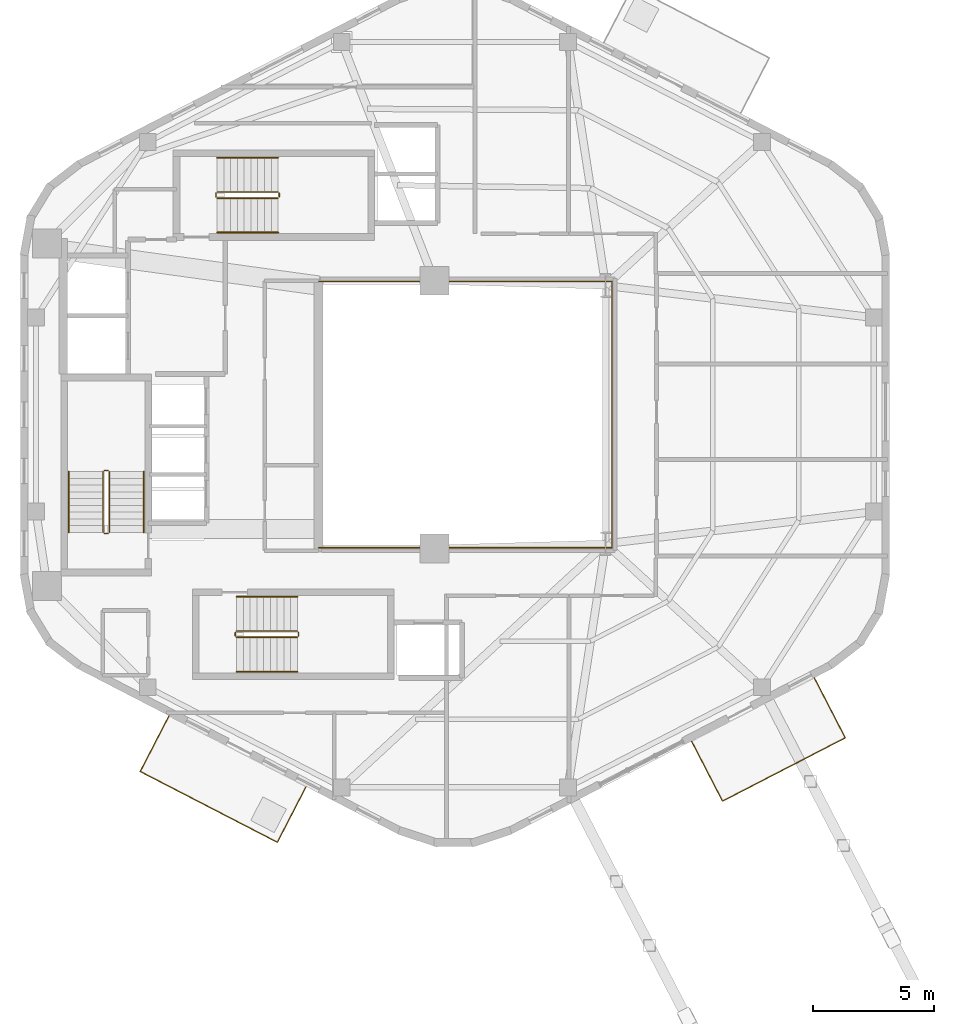
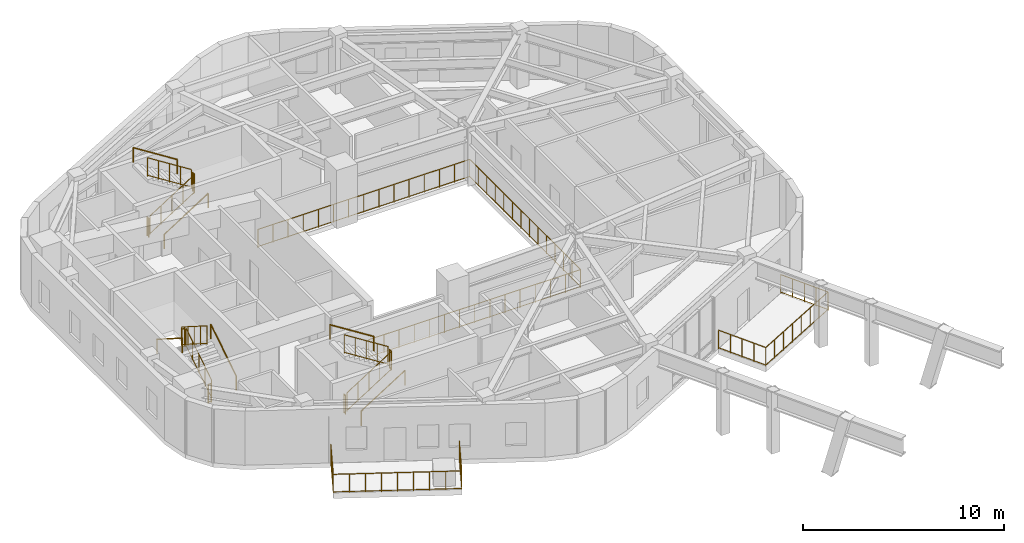
# One storey, part 9 of 10: 21 railings.
"""IFC4 building model written with IfcOpenShell, lengths in metres."""

from ifc_helpers import new_model, si_unit, direction, frame, origin, origin_2d, place, context, subcontext, project, spatial, circle, extrude, material, type_object, element, save


model = new_model("IFC4")

# Units and contexts
model_context = context("Model", 3, precision=1e-05, world=origin(), true_north=direction((0.0, 1.0)))
body_context = subcontext(model_context, "Body", "Model", "MODEL_VIEW")
ifc_project = project(units=[si_unit("LENGTHUNIT", "METRE"), si_unit("AREAUNIT", "SQUARE_METRE"), si_unit("VOLUMEUNIT", "CUBIC_METRE"), si_unit("PLANEANGLEUNIT", "RADIAN"), si_unit("MASSUNIT", "GRAM", prefix="KILO"), si_unit("THERMODYNAMICTEMPERATUREUNIT", "KELVIN"), si_unit("POWERUNIT", "WATT")], contexts=[model_context])

# Site, building, storey
site_placement = place(None, origin())
site = spatial("IfcSite", under=ifc_project, at=site_placement, CompositionType="ELEMENT")
building_placement = place(site_placement, origin())
building = spatial("IfcBuilding", under=site, at=building_placement, Name="Skarre Station Tower", CompositionType="ELEMENT")
storey_placement = place(building_placement, frame((0.0, 0.0, 227.699951171875)))
storey = spatial("IfcBuildingStorey", under=building, at=storey_placement, Name="L62", CompositionType="ELEMENT", Elevation=227.699951171875)

# Railings
ifc_material_1 = material(Name="Bronze Anodized Steel & Laminated Glass Balustrade", Category="steel")
railing_type_1 = type_object("IfcRailingType", Name="Atrium Void & Mezzanine Guard Balustrade 1120", PredefinedType="GUARDRAIL", material=ifc_material_1)
railing_1_placement = place(storey_placement, frame((27.550048828125, 18.47998046875, 0.0)))
element("IfcRailing", 1, at=railing_1_placement, inside=storey, type_object=railing_type_1, Name="L62 Atrium Void Guard Balustrade", PredefinedType="GUARDRAIL", context=body_context, shape_type="SweptSolid", body=[
    extrude(circle(Radius=0.02392578125, at=origin_2d()), frame((0.0, 0.0, 1.09619140625), z_axis=(1.0, 0.0, 0.0), x_axis=(0.0, 1.0, 0.0)), (0.0, 0.0, 1.0), 12.169921875),
    extrude(circle(Radius=0.02099609375, at=origin_2d()), frame((0.0, 0.0, 0.06005859375), z_axis=(1.0, 0.0, 0.0), x_axis=(0.0, 1.0, 0.0)), (0.0, 0.0, 1.0), 12.169921875),
    extrude(circle(Radius=0.02392578125, at=origin_2d()), frame((12.169921875, 0.0, 1.09619140625), z_axis=(0.0, 1.0, 0.0), x_axis=(-1.0, 0.0, 0.0)), (0.0, 0.0, 1.0), 11.0400390625),
    extrude(circle(Radius=0.02099609375, at=origin_2d()), frame((12.169921875, 0.0, 0.06005859375), z_axis=(0.0, 1.0, 0.0), x_axis=(-1.0, 0.0, 0.0)), (0.0, 0.0, 1.0), 11.0400390625),
    extrude(circle(Radius=0.02392578125, at=origin_2d()), frame((12.169921875, 11.0400390625, 1.09619140625), z_axis=(-1.0, 0.0, 0.0), x_axis=(0.0, -1.0, 0.0)), (0.0, 0.0, 1.0), 12.169921875),
    extrude(circle(Radius=0.02099609375, at=origin_2d()), frame((12.169921875, 11.0400390625, 0.06005859375), z_axis=(-1.0, 0.0, 0.0), x_axis=(0.0, -1.0, 0.0)), (0.0, 0.0, 1.0), 12.169921875),
    extrude(circle(Radius=0.02099609375, at=origin_2d()), origin(), (0.0, 0.0, 1.0), 1.072021484375),
    extrude(circle(Radius=0.02099609375, at=origin_2d()), frame((0.869384765625, 0.0, 0.0)), (0.0, 0.0, 1.0), 1.072021484375),
    extrude(circle(Radius=0.02099609375, at=origin_2d()), frame((1.738525390625, 0.0, 0.0)), (0.0, 0.0, 1.0), 1.072021484375),
    extrude(circle(Radius=0.02099609375, at=origin_2d()), frame((2.60791015625, 0.0, 0.0)), (0.0, 0.0, 1.0), 1.072021484375),
    extrude(circle(Radius=0.02099609375, at=origin_2d()), frame((3.47705078125, 0.0, 0.0)), (0.0, 0.0, 1.0), 1.072021484375),
    extrude(circle(Radius=0.02099609375, at=origin_2d()), frame((4.346435546875, 0.0, 0.0)), (0.0, 0.0, 1.0), 1.072021484375),
    extrude(circle(Radius=0.02099609375, at=origin_2d()), frame((5.215576171875, 0.0, 0.0)), (0.0, 0.0, 1.0), 1.072021484375),
    extrude(circle(Radius=0.02099609375, at=origin_2d()), frame((6.0849609375, 0.0, 0.0)), (0.0, 0.0, 1.0), 1.072021484375),
    extrude(circle(Radius=0.02099609375, at=origin_2d()), frame((6.954345703125, 0.0, 0.0)), (0.0, 0.0, 1.0), 1.072021484375),
    extrude(circle(Radius=0.02099609375, at=origin_2d()), frame((7.823486328125, 0.0, 0.0)), (0.0, 0.0, 1.0), 1.072021484375),
    extrude(circle(Radius=0.02099609375, at=origin_2d()), frame((8.69287109375, 0.0, 0.0)), (0.0, 0.0, 1.0), 1.072021484375),
    extrude(circle(Radius=0.02099609375, at=origin_2d()), frame((9.56201171875, 0.0, 0.0)), (0.0, 0.0, 1.0), 1.072021484375),
    extrude(circle(Radius=0.02099609375, at=origin_2d()), frame((10.431396484375, 0.0, 0.0)), (0.0, 0.0, 1.0), 1.072021484375),
    extrude(circle(Radius=0.02099609375, at=origin_2d()), frame((11.300537109375, 0.0, 0.0)), (0.0, 0.0, 1.0), 1.072021484375),
    extrude(circle(Radius=0.02099609375, at=origin_2d()), frame((12.169921875, 0.0, 0.0)), (0.0, 0.0, 1.0), 1.072021484375),
    extrude(circle(Radius=0.02099609375, at=origin_2d()), frame((12.169921875, 0.84912109375, 0.0)), (0.0, 0.0, 1.0), 1.072021484375),
    extrude(circle(Radius=0.02099609375, at=origin_2d()), frame((12.169921875, 1.698486328125, 0.0)), (0.0, 0.0, 1.0), 1.072021484375),
    extrude(circle(Radius=0.02099609375, at=origin_2d()), frame((12.169921875, 2.547607421875, 0.0)), (0.0, 0.0, 1.0), 1.072021484375),
    extrude(circle(Radius=0.02099609375, at=origin_2d()), frame((12.169921875, 3.39697265625, 0.0)), (0.0, 0.0, 1.0), 1.072021484375),
    extrude(circle(Radius=0.02099609375, at=origin_2d()), frame((12.169921875, 4.24609375, 0.0)), (0.0, 0.0, 1.0), 1.072021484375),
    extrude(circle(Radius=0.02099609375, at=origin_2d()), frame((12.169921875, 5.095458984375, 0.0)), (0.0, 0.0, 1.0), 1.072021484375),
    extrude(circle(Radius=0.02099609375, at=origin_2d()), frame((12.169921875, 5.944580078125, 0.0)), (0.0, 0.0, 1.0), 1.072021484375),
    extrude(circle(Radius=0.02099609375, at=origin_2d()), frame((12.169921875, 6.7939453125, 0.0)), (0.0, 0.0, 1.0), 1.072021484375),
    extrude(circle(Radius=0.02099609375, at=origin_2d()), frame((12.169921875, 7.64306640625, 0.0)), (0.0, 0.0, 1.0), 1.072021484375),
    extrude(circle(Radius=0.02099609375, at=origin_2d()), frame((12.169921875, 8.492431640625, 0.0)), (0.0, 0.0, 1.0), 1.072021484375),
    extrude(circle(Radius=0.02099609375, at=origin_2d()), frame((12.169921875, 9.341552734375, 0.0)), (0.0, 0.0, 1.0), 1.072021484375),
    extrude(circle(Radius=0.02099609375, at=origin_2d()), frame((12.169921875, 10.19091796875, 0.0)), (0.0, 0.0, 1.0), 1.072021484375),
    extrude(circle(Radius=0.02099609375, at=origin_2d()), frame((12.169921875, 11.0400390625, 0.0)), (0.0, 0.0, 1.0), 1.072021484375),
    extrude(circle(Radius=0.02099609375, at=origin_2d()), frame((11.300537109375, 11.0400390625, 0.0)), (0.0, 0.0, 1.0), 1.072021484375),
    extrude(circle(Radius=0.02099609375, at=origin_2d()), frame((10.431396484375, 11.0400390625, 0.0)), (0.0, 0.0, 1.0), 1.072021484375),
    extrude(circle(Radius=0.02099609375, at=origin_2d()), frame((9.56201171875, 11.0400390625, 0.0)), (0.0, 0.0, 1.0), 1.072021484375),
    extrude(circle(Radius=0.02099609375, at=origin_2d()), frame((8.69287109375, 11.0400390625, 0.0)), (0.0, 0.0, 1.0), 1.072021484375),
    extrude(circle(Radius=0.02099609375, at=origin_2d()), frame((7.823486328125, 11.0400390625, 0.0)), (0.0, 0.0, 1.0), 1.072021484375),
    extrude(circle(Radius=0.02099609375, at=origin_2d()), frame((6.954345703125, 11.0400390625, 0.0)), (0.0, 0.0, 1.0), 1.072021484375),
    extrude(circle(Radius=0.02099609375, at=origin_2d()), frame((6.0849609375, 11.0400390625, 0.0)), (0.0, 0.0, 1.0), 1.072021484375),
    extrude(circle(Radius=0.02099609375, at=origin_2d()), frame((5.215576171875, 11.0400390625, 0.0)), (0.0, 0.0, 1.0), 1.072021484375),
    extrude(circle(Radius=0.02099609375, at=origin_2d()), frame((4.346435546875, 11.0400390625, 0.0)), (0.0, 0.0, 1.0), 1.072021484375),
    extrude(circle(Radius=0.02099609375, at=origin_2d()), frame((3.47705078125, 11.0400390625, 0.0)), (0.0, 0.0, 1.0), 1.072021484375),
    extrude(circle(Radius=0.02099609375, at=origin_2d()), frame((2.60791015625, 11.0400390625, 0.0)), (0.0, 0.0, 1.0), 1.072021484375),
    extrude(circle(Radius=0.02099609375, at=origin_2d()), frame((1.738525390625, 11.0400390625, 0.0)), (0.0, 0.0, 1.0), 1.072021484375),
    extrude(circle(Radius=0.02099609375, at=origin_2d()), frame((0.869384765625, 11.0400390625, 0.0)), (0.0, 0.0, 1.0), 1.072021484375),
    extrude(circle(Radius=0.02099609375, at=origin_2d()), frame((0.0, 11.0400390625, 0.0)), (0.0, 0.0, 1.0), 1.072021484375),
])
ifc_material_2 = material(Name="Stainless Steel Grade 316L & Laminated Safety Glass", Category="steel")
railing_type_2 = type_object("IfcRailingType", Name="Laminated Glass & Stainless Terrace Guardrail 1150", PredefinedType="BALUSTRADE", material=ifc_material_2)
railing_2_placement = place(storey_placement, frame((48.10595703125, 13.083984375, 0.0)))
element("IfcRailing", 2, at=railing_2_placement, inside=storey, type_object=railing_type_2, Name="L62 SG-3 Conservatory Terrace Guardrail", PredefinedType="BALUSTRADE", context=body_context, shape_type="SweptSolid", body=[
    extrude(circle(Radius=0.02392578125, at=origin_2d()), frame((0.0, 0.0, 1.1259765625), z_axis=(0.458796714428, -0.888541262312, 0.0), x_axis=(0.888541262312, 0.458796714428, 0.0)), (0.0, 0.0, 1.0), 2.7900390625),
    extrude(circle(Radius=0.02099609375, at=origin_2d()), frame((0.0, 0.0, 0.06005859375), z_axis=(0.458796714428, -0.888541262312, 0.0), x_axis=(0.888541262312, 0.458796714428, 0.0)), (0.0, 0.0, 1.0), 2.7900390625),
    extrude(circle(Radius=0.02392578125, at=origin_2d()), frame((1.280029296875, -2.47900390625, 1.1259765625), z_axis=(-0.888600487867, -0.458681995464, 0.0), x_axis=(0.458681995464, -0.888600487867, 0.0)), (0.0, 0.0, 1.0), 5.729248046875),
    extrude(circle(Radius=0.02099609375, at=origin_2d()), frame((1.280029296875, -2.47900390625, 0.06005859375), z_axis=(-0.888600487867, -0.458681995464, 0.0), x_axis=(0.458681995464, -0.888600487867, 0.0)), (0.0, 0.0, 1.0), 5.729248046875),
    extrude(circle(Radius=0.02392578125, at=origin_2d()), frame((-3.81103515625, -5.10693359375, 1.1259765625), z_axis=(-0.458796714428, 0.888541262312, 0.0), x_axis=(-0.888541262312, -0.458796714428, 0.0)), (0.0, 0.0, 1.0), 2.7900390625),
    extrude(circle(Radius=0.02099609375, at=origin_2d()), frame((-3.81103515625, -5.10693359375, 0.06005859375), z_axis=(-0.458796714428, 0.888541262312, 0.0), x_axis=(-0.888541262312, -0.458796714428, 0.0)), (0.0, 0.0, 1.0), 2.7900390625),
    extrude(circle(Radius=0.02099609375, at=origin_2d()), origin(), (0.0, 0.0, 1.0), 1.101806640625),
    extrude(circle(Radius=0.02099609375, at=origin_2d()), frame((0.320068359375, -0.61962890625, 0.0)), (0.0, 0.0, 1.0), 1.101806640625),
    extrude(circle(Radius=0.02099609375, at=origin_2d()), frame((0.64013671875, -1.239501953125, 0.0)), (0.0, 0.0, 1.0), 1.101806640625),
    extrude(circle(Radius=0.02099609375, at=origin_2d()), frame((0.9599609375, -1.859375, 0.0)), (0.0, 0.0, 1.0), 1.101806640625),
    extrude(circle(Radius=0.02099609375, at=origin_2d()), frame((1.280029296875, -2.47900390625, 0.0)), (0.0, 0.0, 1.0), 1.101806640625),
    extrude(circle(Radius=0.02099609375, at=origin_2d()), frame((0.552734375, -2.8544921875, 0.0)), (0.0, 0.0, 1.0), 1.101806640625),
    extrude(circle(Radius=0.02099609375, at=origin_2d()), frame((-0.174560546875, -3.229736328125, 0.0)), (0.0, 0.0, 1.0), 1.101806640625),
    extrude(circle(Radius=0.02099609375, at=origin_2d()), frame((-0.90185546875, -3.605224609375, 0.0)), (0.0, 0.0, 1.0), 1.101806640625),
    extrude(circle(Radius=0.02099609375, at=origin_2d()), frame((-1.629150390625, -3.980712890625, 0.0)), (0.0, 0.0, 1.0), 1.101806640625),
    extrude(circle(Radius=0.02099609375, at=origin_2d()), frame((-2.3564453125, -4.356201171875, 0.0)), (0.0, 0.0, 1.0), 1.101806640625),
    extrude(circle(Radius=0.02099609375, at=origin_2d()), frame((-3.083740234375, -4.7314453125, 0.0)), (0.0, 0.0, 1.0), 1.101806640625),
    extrude(circle(Radius=0.02099609375, at=origin_2d()), frame((-3.81103515625, -5.10693359375, 0.0)), (0.0, 0.0, 1.0), 1.101806640625),
    extrude(circle(Radius=0.02099609375, at=origin_2d()), frame((-4.131103515625, -4.4873046875, 0.0)), (0.0, 0.0, 1.0), 1.101806640625),
    extrude(circle(Radius=0.02099609375, at=origin_2d()), frame((-4.451171875, -3.867431640625, 0.0)), (0.0, 0.0, 1.0), 1.101806640625),
    extrude(circle(Radius=0.02099609375, at=origin_2d()), frame((-4.77099609375, -3.24755859375, 0.0)), (0.0, 0.0, 1.0), 1.101806640625),
    extrude(circle(Radius=0.02099609375, at=origin_2d()), frame((-5.091064453125, -2.6279296875, 0.0)), (0.0, 0.0, 1.0), 1.101806640625),
])
railing_3_placement = place(storey_placement, frame((21.344970703125, 11.509033203125, 0.0)))
element("IfcRailing", 3, at=railing_3_placement, inside=storey, type_object=railing_type_2, Name="L62 TB-L62-F3 Tree-Balcony Guardrail", PredefinedType="BALUSTRADE", context=body_context, shape_type="SweptSolid", body=[
    extrude(circle(Radius=0.02392578125, at=origin_2d()), frame((0.0, 0.0, 1.1259765625), z_axis=(-0.458753384133, -0.888563634495, 0.0), x_axis=(0.888563634495, -0.458753384133, 0.0)), (0.0, 0.0, 1.0), 2.589599609375),
    extrude(circle(Radius=0.02099609375, at=origin_2d()), frame((0.0, 0.0, 0.06005859375), z_axis=(-0.458753384133, -0.888563634495, 0.0), x_axis=(0.888563634495, -0.458753384133, 0.0)), (0.0, 0.0, 1.0), 2.589599609375),
    extrude(circle(Radius=0.02392578125, at=origin_2d()), frame((-1.18798828125, -2.301025390625, 1.1259765625), z_axis=(0.888569497845, -0.458742027178, 0.0), x_axis=(0.458742027178, 0.888569497845, 0.0)), (0.0, 0.0, 1.0), 6.400146484375),
    extrude(circle(Radius=0.02099609375, at=origin_2d()), frame((-1.18798828125, -2.301025390625, 0.06005859375), z_axis=(0.888569497845, -0.458742027178, 0.0), x_axis=(0.458742027178, 0.888569497845, 0.0)), (0.0, 0.0, 1.0), 6.400146484375),
    extrude(circle(Radius=0.02392578125, at=origin_2d()), frame((4.4990234375, -5.237060546875, 1.1259765625), z_axis=(0.458753384133, 0.888563634495, 0.0), x_axis=(-0.888563634495, 0.458753384133, 0.0)), (0.0, 0.0, 1.0), 2.589599609375),
    extrude(circle(Radius=0.02099609375, at=origin_2d()), frame((4.4990234375, -5.237060546875, 0.06005859375), z_axis=(0.458753384133, 0.888563634495, 0.0), x_axis=(-0.888563634495, 0.458753384133, 0.0)), (0.0, 0.0, 1.0), 2.589599609375),
    extrude(circle(Radius=0.02099609375, at=origin_2d()), origin(), (0.0, 0.0, 1.0), 1.101806640625),
    extrude(circle(Radius=0.02099609375, at=origin_2d()), frame((-0.39599609375, -0.76708984375, 0.0)), (0.0, 0.0, 1.0), 1.101806640625),
    extrude(circle(Radius=0.02099609375, at=origin_2d()), frame((-0.7919921875, -1.533935546875, 0.0)), (0.0, 0.0, 1.0), 1.101806640625),
    extrude(circle(Radius=0.02099609375, at=origin_2d()), frame((-1.18798828125, -2.301025390625, 0.0)), (0.0, 0.0, 1.0), 1.101806640625),
    extrude(circle(Radius=0.02099609375, at=origin_2d()), frame((-0.47705078125, -2.66796875, 0.0)), (0.0, 0.0, 1.0), 1.101806640625),
    extrude(circle(Radius=0.02099609375, at=origin_2d()), frame((0.23388671875, -3.03515625, 0.0)), (0.0, 0.0, 1.0), 1.101806640625),
    extrude(circle(Radius=0.02099609375, at=origin_2d()), frame((0.944580078125, -3.402099609375, 0.0)), (0.0, 0.0, 1.0), 1.101806640625),
    extrude(circle(Radius=0.02099609375, at=origin_2d()), frame((1.655517578125, -3.76904296875, 0.0)), (0.0, 0.0, 1.0), 1.101806640625),
    extrude(circle(Radius=0.02099609375, at=origin_2d()), frame((2.366455078125, -4.135986328125, 0.0)), (0.0, 0.0, 1.0), 1.101806640625),
    extrude(circle(Radius=0.02099609375, at=origin_2d()), frame((3.0771484375, -4.5029296875, 0.0)), (0.0, 0.0, 1.0), 1.101806640625),
    extrude(circle(Radius=0.02099609375, at=origin_2d()), frame((3.7880859375, -4.8701171875, 0.0)), (0.0, 0.0, 1.0), 1.101806640625),
    extrude(circle(Radius=0.02099609375, at=origin_2d()), frame((4.4990234375, -5.237060546875, 0.0)), (0.0, 0.0, 1.0), 1.101806640625),
    extrude(circle(Radius=0.02099609375, at=origin_2d()), frame((4.89501953125, -4.469970703125, 0.0)), (0.0, 0.0, 1.0), 1.101806640625),
    extrude(circle(Radius=0.02099609375, at=origin_2d()), frame((5.291015625, -3.703125, 0.0)), (0.0, 0.0, 1.0), 1.101806640625),
    extrude(circle(Radius=0.02099609375, at=origin_2d()), frame((5.68701171875, -2.93603515625, 0.0)), (0.0, 0.0, 1.0), 1.101806640625),
])
ifc_material_3 = material(Name="Powder-Coated Tubular Steel", Category="steel")
railing_type_3 = type_object("IfcRailingType", Name="Painted Steel Ramp & Stair Handrail 920", PredefinedType="HANDRAIL", material=ifc_material_3)
railing_4_placement = place(storey_placement, frame((20.300048828125, 19.1201171875, 0.177490234375)))
element("IfcRailing", 4, at=railing_4_placement, inside=storey, type_object=railing_type_3, Name="L62 ST-1 stair handrail 1", PredefinedType="HANDRAIL", context=body_context, shape_type="SweptSolid", body=[
    extrude(circle(Radius=0.02392578125, at=origin_2d()), frame((0.0, 0.0, 0.8759765625), z_axis=(0.0, 0.844546487299, 0.535482241341), x_axis=(-1.0, 0.0, 0.0)), (0.0, 0.0, 1.0), 2.983642578125),
    extrude(circle(Radius=0.02099609375, at=origin_2d()), origin(), (0.0, 0.0, 1.0), 0.851806640625),
    extrude(circle(Radius=0.02099609375, at=origin_2d()), frame((0.0, 2.519775390625, 1.59765625)), (0.0, 0.0, 1.0), 0.851806640625),
])
railing_5_placement = place(storey_placement, frame((17.199951171875, 21.639892578125, 1.95263671875)))
element("IfcRailing", 5, at=railing_5_placement, inside=storey, type_object=railing_type_3, Name="L62 ST-1 stair handrail 2", PredefinedType="HANDRAIL", context=body_context, shape_type="SweptSolid", body=[
    extrude(circle(Radius=0.02392578125, at=origin_2d()), frame((0.0, 0.0, 0.8759765625), z_axis=(0.0, -0.844583492756, 0.535423872987), x_axis=(1.0, 0.0, 0.0)), (0.0, 0.0, 1.0), 2.9833984375),
    extrude(circle(Radius=0.02099609375, at=origin_2d()), origin(), (0.0, 0.0, 1.0), 0.851806640625),
    extrude(circle(Radius=0.02099609375, at=origin_2d()), frame((0.0, -2.519775390625, 1.597412109375)), (0.0, 0.0, 1.0), 0.851806640625),
])
railing_6_placement = place(storey_placement, frame((24.14990234375, 13.35009765625, 0.177490234375)))
element("IfcRailing", 6, at=railing_6_placement, inside=storey, type_object=railing_type_3, Name="L62 ST-2 stair handrail 1", PredefinedType="HANDRAIL", context=body_context, shape_type="SweptSolid", body=[
    extrude(circle(Radius=0.02392578125, at=origin_2d()), frame((0.0, 0.0, 0.8759765625), z_axis=(0.84456994832, 0.0, 0.535445237532), x_axis=(0.0, 1.0, 0.0)), (0.0, 0.0, 1.0), 2.98388671875),
    extrude(circle(Radius=0.02099609375, at=origin_2d()), origin(), (0.0, 0.0, 1.0), 0.851806640625),
    extrude(circle(Radius=0.02099609375, at=origin_2d()), frame((2.52001953125, 0.0, 1.59765625)), (0.0, 0.0, 1.0), 0.851806640625),
])
railing_7_placement = place(storey_placement, frame((26.669921875, 16.449951171875, 1.95263671875)))
element("IfcRailing", 7, at=railing_7_placement, inside=storey, type_object=railing_type_3, Name="L62 ST-2 stair handrail 2", PredefinedType="HANDRAIL", context=body_context, shape_type="SweptSolid", body=[
    extrude(circle(Radius=0.02392578125, at=origin_2d()), frame((0.0, 0.0, 0.8759765625), z_axis=(-0.84460694969, 0.0, 0.535386869969), x_axis=(0.0, -1.0, 0.0)), (0.0, 0.0, 1.0), 2.983642578125),
    extrude(circle(Radius=0.02099609375, at=origin_2d()), origin(), (0.0, 0.0, 1.0), 0.851806640625),
    extrude(circle(Radius=0.02099609375, at=origin_2d()), frame((-2.52001953125, 0.0, 1.597412109375)), (0.0, 0.0, 1.0), 0.851806640625),
])
railing_8_placement = place(storey_placement, frame((23.35009765625, 31.550048828125, 0.177490234375)))
element("IfcRailing", 8, at=railing_8_placement, inside=storey, type_object=railing_type_3, Name="L62 ST-3 stair handrail 1", PredefinedType="HANDRAIL", context=body_context, shape_type="SweptSolid", body=[
    extrude(circle(Radius=0.02392578125, at=origin_2d()), frame((0.0, 0.0, 0.8759765625), z_axis=(0.84456994832, 0.0, 0.535445237532), x_axis=(0.0, 1.0, 0.0)), (0.0, 0.0, 1.0), 2.98388671875),
    extrude(circle(Radius=0.02099609375, at=origin_2d()), origin(), (0.0, 0.0, 1.0), 0.851806640625),
    extrude(circle(Radius=0.02099609375, at=origin_2d()), frame((2.52001953125, 0.0, 1.59765625)), (0.0, 0.0, 1.0), 0.851806640625),
])
railing_9_placement = place(storey_placement, frame((25.8701171875, 34.64990234375, 1.95263671875)))
element("IfcRailing", 9, at=railing_9_placement, inside=storey, type_object=railing_type_3, Name="L62 ST-3 stair handrail 2", PredefinedType="HANDRAIL", context=body_context, shape_type="SweptSolid", body=[
    extrude(circle(Radius=0.02392578125, at=origin_2d()), frame((0.0, 0.0, 0.8759765625), z_axis=(-0.84460694969, 0.0, 0.535386869969), x_axis=(0.0, -1.0, 0.0)), (0.0, 0.0, 1.0), 2.983642578125),
    extrude(circle(Radius=0.02099609375, at=origin_2d()), origin(), (0.0, 0.0, 1.0), 0.851806640625),
    extrude(circle(Radius=0.02099609375, at=origin_2d()), frame((-2.52001953125, 0.0, 1.597412109375)), (0.0, 0.0, 1.0), 0.851806640625),
])
railing_type_4 = type_object("IfcRailingType", Name="Painted Steel Stairwell Guardrail 1100", PredefinedType="GUARDRAIL", material=ifc_material_3)
railing_10_placement = place(storey_placement, frame((18.8798828125, 19.1201171875, 0.177490234375)))
element("IfcRailing", 10, at=railing_10_placement, inside=storey, type_object=railing_type_4, Name="L62 ST-1 stair guard 1", PredefinedType="GUARDRAIL", context=body_context, shape_type="SweptSolid", body=[
    extrude(circle(Radius=0.02392578125, at=origin_2d()), frame((0.0, 0.0, 1.1259765625), z_axis=(0.0, 0.844546487299, 0.535482241341), x_axis=(-1.0, 0.0, 0.0)), (0.0, 0.0, 1.0), 2.983642578125),
    extrude(circle(Radius=0.02099609375, at=origin_2d()), frame((0.0, 0.0, 0.06005859375), z_axis=(0.0, 0.844546487299, 0.535482241341), x_axis=(-1.0, 0.0, 0.0)), (0.0, 0.0, 1.0), 2.983642578125),
    extrude(circle(Radius=0.02099609375, at=origin_2d()), origin(), (0.0, 0.0, 1.0), 1.101806640625),
    extrude(circle(Radius=0.02099609375, at=origin_2d()), frame((0.0, 0.6298828125, 0.3994140625)), (0.0, 0.0, 1.0), 1.101806640625),
    extrude(circle(Radius=0.02099609375, at=origin_2d()), frame((0.0, 1.259765625, 0.798828125)), (0.0, 0.0, 1.0), 1.101806640625),
    extrude(circle(Radius=0.02099609375, at=origin_2d()), frame((0.0, 1.889892578125, 1.1982421875)), (0.0, 0.0, 1.0), 1.101806640625),
    extrude(circle(Radius=0.02099609375, at=origin_2d()), frame((0.0, 2.519775390625, 1.59765625)), (0.0, 0.0, 1.0), 1.101806640625),
])
railing_11_placement = place(storey_placement, frame((18.830078125, 21.68994140625, 1.775146484375)))
element("IfcRailing", 11, at=railing_11_placement, inside=storey, type_object=railing_type_4, Name="L62 ST-1 stair guard 2", PredefinedType="GUARDRAIL", context=body_context, shape_type="SweptSolid", body=[
    extrude(circle(Radius=0.02392578125, at=origin_2d()), frame((0.0, 0.0, 1.1259765625), z_axis=(-1.0, 0.0, 0.0), x_axis=(0.0, -1.0, 0.0)), (0.0, 0.0, 1.0), 0.16015625),
    extrude(circle(Radius=0.02099609375, at=origin_2d()), frame((0.0, 0.0, 0.06005859375), z_axis=(-1.0, 0.0, 0.0), x_axis=(0.0, -1.0, 0.0)), (0.0, 0.0, 1.0), 0.16015625),
    extrude(circle(Radius=0.02099609375, at=origin_2d()), origin(), (0.0, 0.0, 1.0), 1.101806640625),
    extrude(circle(Radius=0.02099609375, at=origin_2d()), frame((-0.16015625, 0.0, 0.0)), (0.0, 0.0, 1.0), 1.101806640625),
])
railing_12_placement = place(storey_placement, frame((18.6201171875, 21.639892578125, 1.95263671875)))
element("IfcRailing", 12, at=railing_12_placement, inside=storey, type_object=railing_type_4, Name="L62 ST-1 stair guard 3", PredefinedType="GUARDRAIL", context=body_context, shape_type="SweptSolid", body=[
    extrude(circle(Radius=0.02392578125, at=origin_2d()), frame((0.0, 0.0, 1.1259765625), z_axis=(0.0, -0.844583492756, 0.535423872987), x_axis=(1.0, 0.0, 0.0)), (0.0, 0.0, 1.0), 2.9833984375),
    extrude(circle(Radius=0.02099609375, at=origin_2d()), frame((0.0, 0.0, 0.06005859375), z_axis=(0.0, -0.844583492756, 0.535423872987), x_axis=(1.0, 0.0, 0.0)), (0.0, 0.0, 1.0), 2.9833984375),
    extrude(circle(Radius=0.02099609375, at=origin_2d()), origin(), (0.0, 0.0, 1.0), 1.101806640625),
    extrude(circle(Radius=0.02099609375, at=origin_2d()), frame((0.0, -0.6298828125, 0.3994140625)), (0.0, 0.0, 1.0), 1.101806640625),
    extrude(circle(Radius=0.02099609375, at=origin_2d()), frame((0.0, -1.259765625, 0.798828125)), (0.0, 0.0, 1.0), 1.101806640625),
    extrude(circle(Radius=0.02099609375, at=origin_2d()), frame((0.0, -1.889892578125, 1.197998046875)), (0.0, 0.0, 1.0), 1.101806640625),
    extrude(circle(Radius=0.02099609375, at=origin_2d()), frame((0.0, -2.519775390625, 1.597412109375)), (0.0, 0.0, 1.0), 1.101806640625),
])
railing_13_placement = place(storey_placement, frame((18.830078125, 19.070068359375, 0.0)))
element("IfcRailing", 13, at=railing_13_placement, inside=storey, type_object=railing_type_4, Name="L62 ST-1 stair guard 4", PredefinedType="GUARDRAIL", context=body_context, shape_type="SweptSolid", body=[
    extrude(circle(Radius=0.02392578125, at=origin_2d()), frame((0.0, 0.0, 1.1259765625), z_axis=(-1.0, 0.0, 0.0), x_axis=(0.0, -1.0, 0.0)), (0.0, 0.0, 1.0), 0.16015625),
    extrude(circle(Radius=0.02099609375, at=origin_2d()), frame((0.0, 0.0, 0.06005859375), z_axis=(-1.0, 0.0, 0.0), x_axis=(0.0, -1.0, 0.0)), (0.0, 0.0, 1.0), 0.16015625),
    extrude(circle(Radius=0.02099609375, at=origin_2d()), origin(), (0.0, 0.0, 1.0), 1.101806640625),
    extrude(circle(Radius=0.02099609375, at=origin_2d()), frame((-0.16015625, 0.0, 0.0)), (0.0, 0.0, 1.0), 1.101806640625),
])
railing_14_placement = place(storey_placement, frame((24.14990234375, 14.77001953125, 0.177490234375)))
element("IfcRailing", 14, at=railing_14_placement, inside=storey, type_object=railing_type_4, Name="L62 ST-2 stair guard 1", PredefinedType="GUARDRAIL", context=body_context, shape_type="SweptSolid", body=[
    extrude(circle(Radius=0.02392578125, at=origin_2d()), frame((0.0, 0.0, 1.1259765625), z_axis=(0.84456994832, 0.0, 0.535445237532), x_axis=(0.0, 1.0, 0.0)), (0.0, 0.0, 1.0), 2.98388671875),
    extrude(circle(Radius=0.02099609375, at=origin_2d()), frame((0.0, 0.0, 0.06005859375), z_axis=(0.84456994832, 0.0, 0.535445237532), x_axis=(0.0, 1.0, 0.0)), (0.0, 0.0, 1.0), 2.98388671875),
    extrude(circle(Radius=0.02099609375, at=origin_2d()), origin(), (0.0, 0.0, 1.0), 1.101806640625),
    extrude(circle(Radius=0.02099609375, at=origin_2d()), frame((0.6298828125, 0.0, 0.3994140625)), (0.0, 0.0, 1.0), 1.101806640625),
    extrude(circle(Radius=0.02099609375, at=origin_2d()), frame((1.260009765625, 0.0, 0.798828125)), (0.0, 0.0, 1.0), 1.101806640625),
    extrude(circle(Radius=0.02099609375, at=origin_2d()), frame((1.89013671875, 0.0, 1.1982421875)), (0.0, 0.0, 1.0), 1.101806640625),
    extrude(circle(Radius=0.02099609375, at=origin_2d()), frame((2.52001953125, 0.0, 1.59765625)), (0.0, 0.0, 1.0), 1.101806640625),
])
railing_15_placement = place(storey_placement, frame((26.719970703125, 14.820068359375, 1.775146484375)))
element("IfcRailing", 15, at=railing_15_placement, inside=storey, type_object=railing_type_4, Name="L62 ST-2 stair guard 2", PredefinedType="GUARDRAIL", context=body_context, shape_type="SweptSolid", body=[
    extrude(circle(Radius=0.02392578125, at=origin_2d()), frame((0.0, 0.0, 1.1259765625), z_axis=(0.0, 1.0, 0.0), x_axis=(-1.0, 0.0, 0.0)), (0.0, 0.0, 1.0), 0.159912109375),
    extrude(circle(Radius=0.02099609375, at=origin_2d()), frame((0.0, 0.0, 0.06005859375), z_axis=(0.0, 1.0, 0.0), x_axis=(-1.0, 0.0, 0.0)), (0.0, 0.0, 1.0), 0.159912109375),
    extrude(circle(Radius=0.02099609375, at=origin_2d()), origin(), (0.0, 0.0, 1.0), 1.101806640625),
    extrude(circle(Radius=0.02099609375, at=origin_2d()), frame((0.0, 0.159912109375, 0.0)), (0.0, 0.0, 1.0), 1.101806640625),
])
railing_16_placement = place(storey_placement, frame((26.669921875, 15.030029296875, 1.95263671875)))
element("IfcRailing", 16, at=railing_16_placement, inside=storey, type_object=railing_type_4, Name="L62 ST-2 stair guard 3", PredefinedType="GUARDRAIL", context=body_context, shape_type="SweptSolid", body=[
    extrude(circle(Radius=0.02392578125, at=origin_2d()), frame((0.0, 0.0, 1.1259765625), z_axis=(-0.84460694969, 0.0, 0.535386869969), x_axis=(0.0, -1.0, 0.0)), (0.0, 0.0, 1.0), 2.983642578125),
    extrude(circle(Radius=0.02099609375, at=origin_2d()), frame((0.0, 0.0, 0.06005859375), z_axis=(-0.84460694969, 0.0, 0.535386869969), x_axis=(0.0, -1.0, 0.0)), (0.0, 0.0, 1.0), 2.983642578125),
    extrude(circle(Radius=0.02099609375, at=origin_2d()), origin(), (0.0, 0.0, 1.0), 1.101806640625),
    extrude(circle(Radius=0.02099609375, at=origin_2d()), frame((-0.6298828125, 0.0, 0.3994140625)), (0.0, 0.0, 1.0), 1.101806640625),
    extrude(circle(Radius=0.02099609375, at=origin_2d()), frame((-1.260009765625, 0.0, 0.798828125)), (0.0, 0.0, 1.0), 1.101806640625),
    extrude(circle(Radius=0.02099609375, at=origin_2d()), frame((-1.89013671875, 0.0, 1.197998046875)), (0.0, 0.0, 1.0), 1.101806640625),
    extrude(circle(Radius=0.02099609375, at=origin_2d()), frame((-2.52001953125, 0.0, 1.597412109375)), (0.0, 0.0, 1.0), 1.101806640625),
])
railing_17_placement = place(storey_placement, frame((24.10009765625, 14.820068359375, 0.0)))
element("IfcRailing", 17, at=railing_17_placement, inside=storey, type_object=railing_type_4, Name="L62 ST-2 stair guard 4", PredefinedType="GUARDRAIL", context=body_context, shape_type="SweptSolid", body=[
    extrude(circle(Radius=0.02392578125, at=origin_2d()), frame((0.0, 0.0, 1.1259765625), z_axis=(0.0, 1.0, 0.0), x_axis=(-1.0, 0.0, 0.0)), (0.0, 0.0, 1.0), 0.159912109375),
    extrude(circle(Radius=0.02099609375, at=origin_2d()), frame((0.0, 0.0, 0.06005859375), z_axis=(0.0, 1.0, 0.0), x_axis=(-1.0, 0.0, 0.0)), (0.0, 0.0, 1.0), 0.159912109375),
    extrude(circle(Radius=0.02099609375, at=origin_2d()), origin(), (0.0, 0.0, 1.0), 1.101806640625),
    extrude(circle(Radius=0.02099609375, at=origin_2d()), frame((0.0, 0.159912109375, 0.0)), (0.0, 0.0, 1.0), 1.101806640625),
])
railing_18_placement = place(storey_placement, frame((23.35009765625, 32.969970703125, 0.177490234375)))
element("IfcRailing", 18, at=railing_18_placement, inside=storey, type_object=railing_type_4, Name="L62 ST-3 stair guard 1", PredefinedType="GUARDRAIL", context=body_context, shape_type="SweptSolid", body=[
    extrude(circle(Radius=0.02392578125, at=origin_2d()), frame((0.0, 0.0, 1.1259765625), z_axis=(0.84456994832, 0.0, 0.535445237532), x_axis=(0.0, 1.0, 0.0)), (0.0, 0.0, 1.0), 2.98388671875),
    extrude(circle(Radius=0.02099609375, at=origin_2d()), frame((0.0, 0.0, 0.06005859375), z_axis=(0.84456994832, 0.0, 0.535445237532), x_axis=(0.0, 1.0, 0.0)), (0.0, 0.0, 1.0), 2.98388671875),
    extrude(circle(Radius=0.02099609375, at=origin_2d()), origin(), (0.0, 0.0, 1.0), 1.101806640625),
    extrude(circle(Radius=0.02099609375, at=origin_2d()), frame((0.6298828125, 0.0, 0.3994140625)), (0.0, 0.0, 1.0), 1.101806640625),
    extrude(circle(Radius=0.02099609375, at=origin_2d()), frame((1.260009765625, 0.0, 0.798828125)), (0.0, 0.0, 1.0), 1.101806640625),
    extrude(circle(Radius=0.02099609375, at=origin_2d()), frame((1.89013671875, 0.0, 1.1982421875)), (0.0, 0.0, 1.0), 1.101806640625),
    extrude(circle(Radius=0.02099609375, at=origin_2d()), frame((2.52001953125, 0.0, 1.59765625)), (0.0, 0.0, 1.0), 1.101806640625),
])
railing_19_placement = place(storey_placement, frame((25.919921875, 33.02001953125, 1.775146484375)))
element("IfcRailing", 19, at=railing_19_placement, inside=storey, type_object=railing_type_4, Name="L62 ST-3 stair guard 2", PredefinedType="GUARDRAIL", context=body_context, shape_type="SweptSolid", body=[
    extrude(circle(Radius=0.02392578125, at=origin_2d()), frame((0.0, 0.0, 1.1259765625), z_axis=(0.0, 1.0, 0.0), x_axis=(-1.0, 0.0, 0.0)), (0.0, 0.0, 1.0), 0.159912109375),
    extrude(circle(Radius=0.02099609375, at=origin_2d()), frame((0.0, 0.0, 0.06005859375), z_axis=(0.0, 1.0, 0.0), x_axis=(-1.0, 0.0, 0.0)), (0.0, 0.0, 1.0), 0.159912109375),
    extrude(circle(Radius=0.02099609375, at=origin_2d()), origin(), (0.0, 0.0, 1.0), 1.101806640625),
    extrude(circle(Radius=0.02099609375, at=origin_2d()), frame((0.0, 0.159912109375, 0.0)), (0.0, 0.0, 1.0), 1.101806640625),
])
railing_20_placement = place(storey_placement, frame((25.8701171875, 33.22998046875, 1.95263671875)))
element("IfcRailing", 20, at=railing_20_placement, inside=storey, type_object=railing_type_4, Name="L62 ST-3 stair guard 3", PredefinedType="GUARDRAIL", context=body_context, shape_type="SweptSolid", body=[
    extrude(circle(Radius=0.02392578125, at=origin_2d()), frame((0.0, 0.0, 1.1259765625), z_axis=(-0.84460694969, 0.0, 0.535386869969), x_axis=(0.0, -1.0, 0.0)), (0.0, 0.0, 1.0), 2.983642578125),
    extrude(circle(Radius=0.02099609375, at=origin_2d()), frame((0.0, 0.0, 0.06005859375), z_axis=(-0.84460694969, 0.0, 0.535386869969), x_axis=(0.0, -1.0, 0.0)), (0.0, 0.0, 1.0), 2.983642578125),
    extrude(circle(Radius=0.02099609375, at=origin_2d()), origin(), (0.0, 0.0, 1.0), 1.101806640625),
    extrude(circle(Radius=0.02099609375, at=origin_2d()), frame((-0.6298828125, 0.0, 0.3994140625)), (0.0, 0.0, 1.0), 1.101806640625),
    extrude(circle(Radius=0.02099609375, at=origin_2d()), frame((-1.260009765625, 0.0, 0.798828125)), (0.0, 0.0, 1.0), 1.101806640625),
    extrude(circle(Radius=0.02099609375, at=origin_2d()), frame((-1.89013671875, 0.0, 1.197998046875)), (0.0, 0.0, 1.0), 1.101806640625),
    extrude(circle(Radius=0.02099609375, at=origin_2d()), frame((-2.52001953125, 0.0, 1.597412109375)), (0.0, 0.0, 1.0), 1.101806640625),
])
railing_21_placement = place(storey_placement, frame((23.300048828125, 33.02001953125, 0.0)))
element("IfcRailing", 21, at=railing_21_placement, inside=storey, type_object=railing_type_4, Name="L62 ST-3 stair guard 4", PredefinedType="GUARDRAIL", context=body_context, shape_type="SweptSolid", body=[
    extrude(circle(Radius=0.02392578125, at=origin_2d()), frame((0.0, 0.0, 1.1259765625), z_axis=(0.0, 1.0, 0.0), x_axis=(-1.0, 0.0, 0.0)), (0.0, 0.0, 1.0), 0.159912109375),
    extrude(circle(Radius=0.02099609375, at=origin_2d()), frame((0.0, 0.0, 0.06005859375), z_axis=(0.0, 1.0, 0.0), x_axis=(-1.0, 0.0, 0.0)), (0.0, 0.0, 1.0), 0.159912109375),
    extrude(circle(Radius=0.02099609375, at=origin_2d()), origin(), (0.0, 0.0, 1.0), 1.101806640625),
    extrude(circle(Radius=0.02099609375, at=origin_2d()), frame((0.0, 0.159912109375, 0.0)), (0.0, 0.0, 1.0), 1.101806640625),
])

save(model, "model.ifc")
